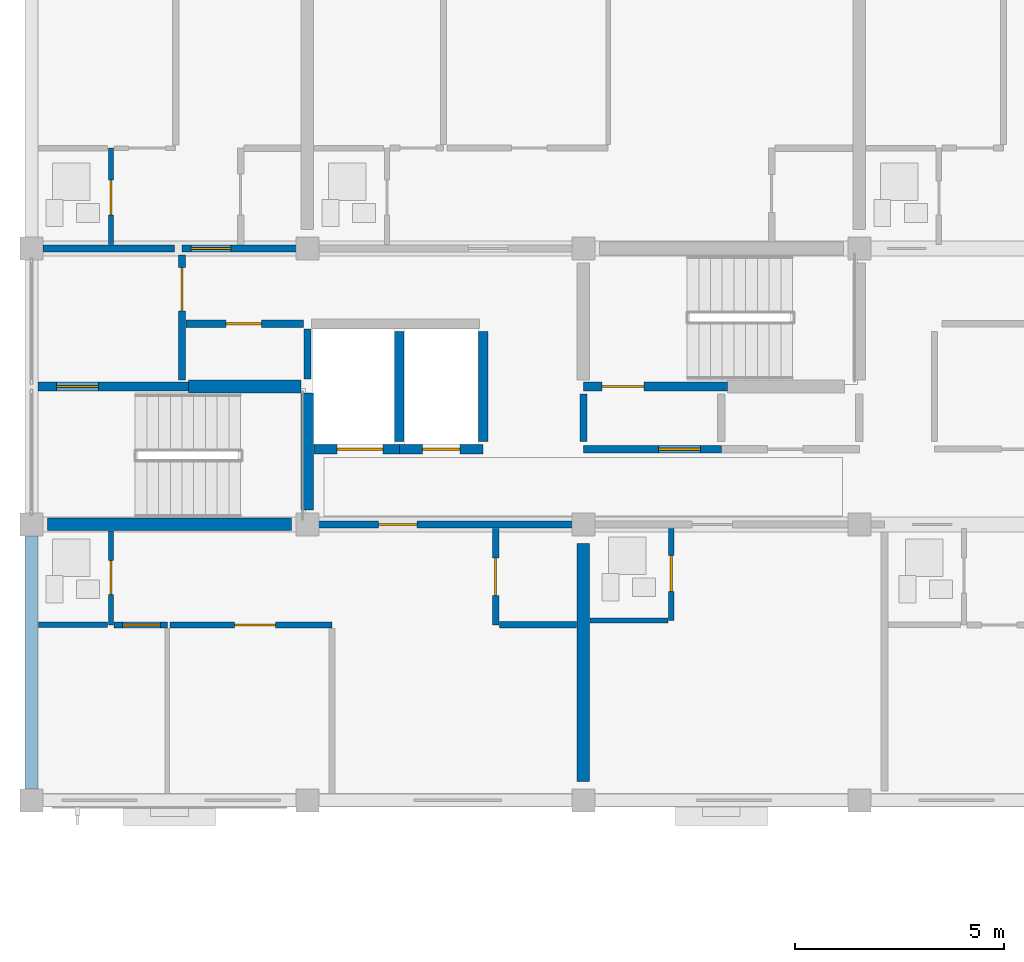
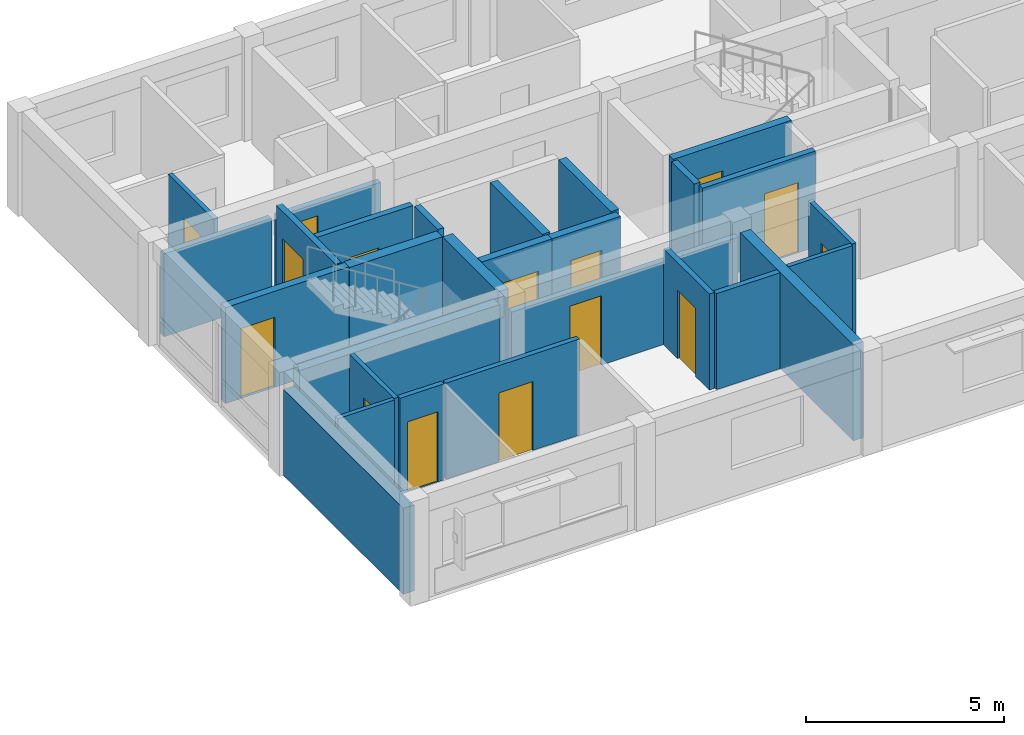
# One storey, part 34 of 53: 28 walls, 15 doors, 15 openings.
"""IFC4 building model written with IfcOpenShell, lengths in metres."""

import ifcopenshell
import ifcopenshell.guid

model = None  # the IFC model being written
_history = None  # IfcOwnerHistory: only IFC2X3 demands one
_inside = {}  # id of a spatial element -> (the spatial element, [elements in it])
_under = {}  # id of a project, library or spatial element -> (it, [spatial elements below it])
_declared = {}  # id of a project -> (the project, [libraries it declares])
_typed = {}  # id of a type object -> (the type object, [elements of that type])
_made_of = {}  # id of a material, layer set ... -> (it, [elements and type objects made of it])


def new_model(schema):
    """Start an empty IFC model of exactly this schema.

    Asked for "IFC4X3", IfcOpenShell would pick the latest addendum, in which some entities
    have other attributes; the version numbers below select the first issue.
    IFC2X3 requires an IfcOwnerHistory on every rooted entity: one is made here for all.
    """
    global model, _history
    if schema == "IFC4X3":
        model = ifcopenshell.file(schema_version=(4, 3, 0, 0))
    else:
        model = ifcopenshell.file(schema=schema)
    _inside.clear()
    _under.clear()
    _declared.clear()
    _typed.clear()
    _made_of.clear()
    _history = None
    if model.schema == "IFC2X3":
        org = make("IfcOrganization", Name="unknown")
        user = make(
            "IfcPersonAndOrganization",
            ThePerson=make("IfcPerson", FamilyName="unknown"),
            TheOrganization=org,
        )
        app = make(
            "IfcApplication",
            ApplicationDeveloper=org,
            Version="unknown",
            ApplicationFullName="unknown",
            ApplicationIdentifier="unknown",
        )
        _history = make(
            "IfcOwnerHistory",
            OwningUser=user,
            OwningApplication=app,
            ChangeAction="ADDED",
            CreationDate=0,
        )
    return model


def make(cls, **values):
    """One entity of the class cls with the attributes given. An attribute that is None is left unset."""
    return model.create_entity(
        cls, **{name: value for name, value in values.items() if value is not None}
    )


def rooted(cls, **values):
    """An entity with a GlobalId (a new one), such as an element, a storey or a relation."""
    return make(cls, GlobalId=ifcopenshell.guid.new(), OwnerHistory=_history, **values)


def si_unit(unit_type, name, prefix=None):
    """IfcSIUnit, for example si_unit("LENGTHUNIT", "METRE", prefix="MILLI")."""
    return make("IfcSIUnit", UnitType=unit_type, Prefix=prefix, Name=name)


def assignment(units):
    """IfcUnitAssignment: the units of a project."""
    return None if units is None else make("IfcUnitAssignment", Units=units)


def point(xyz):
    """IfcCartesianPoint."""
    return None if xyz is None else make("IfcCartesianPoint", Coordinates=xyz)


def direction(xyz):
    """IfcDirection."""
    return None if xyz is None else make("IfcDirection", DirectionRatios=xyz)


def frame(location, z_axis=None, x_axis=None):
    """IfcAxis2Placement3D, a coordinate frame: its origin and axes. An axis left out is left unset."""
    return make(
        "IfcAxis2Placement3D",
        Location=point(location),
        Axis=direction(z_axis),
        RefDirection=direction(x_axis),
    )


def frame_2d(location, x_axis=None):
    """IfcAxis2Placement2D, a coordinate frame in the plane: its origin and x axis."""
    return make(
        "IfcAxis2Placement2D", Location=point(location), RefDirection=direction(x_axis)
    )


def origin():
    """The frame at (0, 0, 0) with its axes left unset."""
    return frame((0.0, 0.0, 0.0))


def place(relative_to, where):
    """IfcLocalPlacement: puts the frame where relative to a parent placement (None: the world)."""
    return make(
        "IfcLocalPlacement", PlacementRelTo=relative_to, RelativePlacement=where
    )


def context(
    kind, dimensions, precision=None, world=None, true_north=None, identifier=None
):
    """IfcGeometricRepresentationContext, for example the 3D "Model" context."""
    return make(
        "IfcGeometricRepresentationContext",
        ContextIdentifier=identifier,
        ContextType=kind,
        CoordinateSpaceDimension=dimensions,
        Precision=precision,
        WorldCoordinateSystem=world,
        TrueNorth=true_north,
    )


def subcontext(parent, identifier, kind, view, scale=None):
    """IfcGeometricRepresentationSubContext, for example "Body" below "Model"."""
    return make(
        "IfcGeometricRepresentationSubContext",
        ContextIdentifier=identifier,
        ContextType=kind,
        ParentContext=parent,
        TargetScale=scale,
        TargetView=view,
    )


def project(units=None, contexts=None):
    """IfcProject with its units and contexts."""
    return rooted(
        "IfcProject",
        Name="project",
        RepresentationContexts=contexts,
        UnitsInContext=assignment(units),
    )


def spatial(cls, under=None, at=None, **own):
    """A site, building, storey or space (cls), placed at a placement, below another one or the project."""
    s = rooted(cls, ObjectPlacement=at, **own)
    if under is not None:
        _under.setdefault(under.id(), (under, []))[1].append(s)
    return s


def profile(cls, at=None, kind="AREA", **sizes):
    """A parametric profile (cls). Its sizes go by their IFC names, for example OverallWidth=200.0."""
    return make(cls, ProfileType=kind, Position=at, **sizes)


def rectangle(**sizes):
    """IfcRectangleProfileDef."""
    return profile("IfcRectangleProfileDef", **sizes)


def extrude(swept, where, along, depth):
    """IfcExtrudedAreaSolid: the profile swept, set in the frame where, extruded along a direction by depth."""
    return make(
        "IfcExtrudedAreaSolid",
        SweptArea=swept,
        Position=where,
        ExtrudedDirection=direction(along),
        Depth=depth,
    )


def shape(context_of_items, identifier, shape_type, items):
    """IfcShapeRepresentation: the items that make up one representation, for example the "Body"."""
    return make(
        "IfcShapeRepresentation",
        ContextOfItems=context_of_items,
        RepresentationIdentifier=identifier,
        RepresentationType=shape_type,
        Items=items,
    )


def material(Name=None, Category=None):
    """IfcMaterial."""
    return make("IfcMaterial", Name=Name, Category=Category)


def layer(
    of_material, thickness, ventilated=None, Name=None, Category=None, Priority=None
):
    """IfcMaterialLayer: one layer of a wall or slab, of a material (None: an air gap)."""
    return make(
        "IfcMaterialLayer",
        Material=of_material,
        LayerThickness=thickness,
        IsVentilated=ventilated,
        Name=Name,
        Category=Category,
        Priority=Priority,
    )


def layer_set(layers, Name=None):
    """IfcMaterialLayerSet."""
    return make("IfcMaterialLayerSet", MaterialLayers=layers, LayerSetName=Name)


def made_of(thing, what):
    """Note that an element or type object is made of a material, layer set ...; save() writes the relation."""
    if what is not None:
        _made_of.setdefault(what.id(), (what, []))[1].append(thing)
    return thing


def type_object(cls, material=None, **own):
    """A type object (cls), such as IfcWallType, which elements share."""
    return made_of(rooted(cls, **own), material)


def element(
    cls,
    number,
    at=None,
    inside=None,
    cuts=None,
    type_object=None,
    material=None,
    context=None,
    identifier="Body",
    shape_type=None,
    held_by="IfcProductDefinitionShape",
    body=None,
    shapes=None,
    **own,
):
    """One element of the class cls, such as IfcWall. Its Tag is "e" and its number.

    at: its placement. inside: the storey or other place that contains it. cuts: it is an
    opening in that element (IfcRelVoidsElement). A single representation is given by context,
    identifier, shape_type and body (its items); several are given by shapes. held_by: the class
    of the entity that holds the representations. save() writes the other relations.
    """
    e = rooted(cls, Tag="e%d" % number, ObjectPlacement=at, **own)
    if body is not None:
        shapes = [shape(context, identifier, shape_type, body)]
    if shapes is not None:
        e.Representation = make(held_by, Representations=shapes)
    if inside is not None:
        _inside.setdefault(inside.id(), (inside, []))[1].append(e)
    if cuts is not None:
        rooted(
            "IfcRelVoidsElement", RelatingBuildingElement=cuts, RelatedOpeningElement=e
        )
    if type_object is not None:
        _typed.setdefault(type_object.id(), (type_object, []))[1].append(e)
    return made_of(e, material)


def fill(opening, filler):
    """IfcRelFillsElement: the door or window that sits in an opening."""
    return rooted(
        "IfcRelFillsElement",
        RelatingOpeningElement=opening,
        RelatedBuildingElement=filler,
    )


def aggregate(whole, parts):
    """IfcRelAggregates: a whole, such as a stair, and the parts it consists of."""
    return rooted("IfcRelAggregates", RelatingObject=whole, RelatedObjects=parts)


def save(model, path):
    """Write the relations noted so far, then the file.

    IfcRelAggregates (storeys below a building ...), IfcRelContainedInSpatialStructure (elements
    in a storey), IfcRelDefinesByType, IfcRelAssociatesMaterial and IfcRelDeclares: one each for
    every whole, place, type object, material and project.
    """
    for whole, parts in _under.values():
        aggregate(whole, parts)
    for where, things in _inside.values():
        rooted(
            "IfcRelContainedInSpatialStructure",
            RelatedElements=things,
            RelatingStructure=where,
        )
    for kind, things in _typed.values():
        rooted("IfcRelDefinesByType", RelatedObjects=things, RelatingType=kind)
    for what, things in _made_of.values():
        rooted("IfcRelAssociatesMaterial", RelatedObjects=things, RelatingMaterial=what)
    for by, libraries in _declared.values():
        rooted("IfcRelDeclares", RelatingContext=by, RelatedDefinitions=libraries)
    model.write(path)


model = new_model("IFC4")

# Units and contexts
model_context = context("Model", 3, precision=1e-05, world=origin(), true_north=direction((0.0, 1.0)))
body_context = subcontext(model_context, "Body", "Model", "MODEL_VIEW")
ifc_project = project(units=[si_unit("LENGTHUNIT", "METRE"), si_unit("AREAUNIT", "SQUARE_METRE"), si_unit("VOLUMEUNIT", "CUBIC_METRE"), si_unit("PLANEANGLEUNIT", "RADIAN"), si_unit("MASSUNIT", "GRAM", prefix="KILO")], contexts=[model_context])

# Site, building, storey
site_placement = place(None, origin())
site = spatial("IfcSite", under=ifc_project, at=site_placement, CompositionType="ELEMENT")
building_placement = place(site_placement, origin())
building = spatial("IfcBuilding", under=site, at=building_placement, Name="Kernevlak Ridge Housing Community", CompositionType="ELEMENT")
storey_placement = place(building_placement, frame((0.0, 0.0, 18.0)))
storey = spatial("IfcBuildingStorey", under=building, at=storey_placement, Name="L05", CompositionType="ELEMENT", Elevation=18.0)

# Wall
ifc_material_1 = material(Name="Concrete block masonry M10", Category="masonry")
ifc_layer_1 = layer(ifc_material_1, 0.320068359375, Name="Concrete block masonry M10")
ifc_layer_set_1 = layer_set([ifc_layer_1], Name="Concrete block masonry M10")
wall_type_1 = type_object("IfcWallType", Name="EW-02", PredefinedType="STANDARD", material=ifc_layer_set_1)
wall_1_placement = place(storey_placement, frame((15.60009765625, 76.27490234375, 0.0), z_axis=(0.0, 0.0, 1.0), x_axis=(0.0, 1.0, 0.0)))
element("IfcWall", 1, at=wall_1_placement, inside=storey, type_object=wall_type_1, Name="Exterior wall EW-02 L05 89", PredefinedType="STANDARD", context=body_context, shape_type="SweptSolid", body=[
    extrude(rectangle(XDim=6.050048828125, YDim=0.320068359375, at=frame_2d((3.02490234375, 0.0))), origin(), (0.0, 0.0, 1.0), 2.64990234375),
])

# Wall, opening, door
ifc_material_2 = material(Name="Concrete C35/45", Category="concrete")
ifc_layer_2 = layer(ifc_material_2, 0.22509765625, Name="Concrete C35/45")
ifc_layer_set_2 = layer_set([ifc_layer_2], Name="Concrete C35/45")
wall_type_2 = type_object("IfcWallType", Name="PW-01", PredefinedType="STANDARD", material=ifc_layer_set_2)
wall_2_placement = place(storey_placement, frame((15.75, 85.89990234375, 0.0), z_axis=(0.0, 0.0, 1.0), x_axis=(1.0, 0.0, 0.0)))
wall_2 = element("IfcWall", 2, at=wall_2_placement, inside=storey, type_object=wall_type_2, Name="Interior wall PW-01 WAL-INT-L05-0309", PredefinedType="STANDARD", context=body_context, shape_type="SweptSolid", body=[
    extrude(rectangle(XDim=3.60009765625, YDim=0.22509765625, at=frame_2d((1.800048828125, 0.0))), origin(), (0.0, 0.0, 1.0), 2.9599609375),
])
opening_1_placement = place(wall_2_placement, frame((0.449951171875, 0.0, 0.0)))
opening_1 = element("IfcOpeningElement", 3, at=opening_1_placement, cuts=wall_2, Name="Opening D156", PredefinedType="OPENING", context=body_context, shape_type="SweptSolid", body=[
    extrude(rectangle(XDim=1.0, YDim=2.159912109375, at=frame_2d((0.5, 1.080078125))), frame((0.0, 0.12255859375, 0.0), z_axis=(0.0, -1.0, 0.0), x_axis=(1.0, 0.0, 0.0)), (0.0, 0.0, 1.0), 0.2451171875),
])
ifc_material_3 = material(Name="Fire-rated sheet steel leaf", Category="steel")
door_type_1 = type_object("IfcDoorType", Name="DT-15", OperationType="NOTDEFINED", PredefinedType="DOOR", material=ifc_material_3)
door_1_placement = place(opening_1_placement, origin())
door_1 = element("IfcDoor", 4, at=door_1_placement, inside=storey, type_object=door_type_1, Name="Block A Stair 1 fire door D156", OperationType="SINGLE_SWING_RIGHT", OverallHeight=2.159912109375, OverallWidth=1.0, PredefinedType="DOOR", context=body_context, shape_type="SweptSolid", body=[
    extrude(rectangle(XDim=1.0, YDim=2.159912109375, at=frame_2d((0.5, 1.080078125))), frame((0.0, 0.02490234375, 0.0), z_axis=(0.0, -1.0, 0.0), x_axis=(1.0, 0.0, 0.0)), (0.0, 0.0, 1.0), 0.050048828125),
])
fill(opening_1, door_1)

wall_3_placement = place(storey_placement, frame((22.360107421875, 84.39990234375, 0.0), z_axis=(0.0, 0.0, 1.0), x_axis=(1.0, 0.0, 0.0)))
wall_3 = element("IfcWall", 5, at=wall_3_placement, inside=storey, type_object=wall_type_2, Name="Interior wall PW-01 WAL-INT-L05-0313", PredefinedType="STANDARD", context=body_context, shape_type="SweptSolid", body=[
    extrude(rectangle(XDim=2.039794921875, YDim=0.22509765625, at=frame_2d((1.02001953125, 0.0))), origin(), (0.0, 0.0, 1.0), 2.9599609375),
])
opening_2_placement = place(wall_3_placement, frame((0.550048828125, 0.0, 0.0)))
opening_2 = element("IfcOpeningElement", 6, at=opening_2_placement, cuts=wall_3, Name="Opening LD12", PredefinedType="OPENING", context=body_context, shape_type="SweptSolid", body=[
    extrude(rectangle(XDim=1.10009765625, YDim=2.10009765625, at=frame_2d((0.550048828125, 1.050048828125))), frame((0.0, 0.12255859375, 0.0), z_axis=(0.0, -1.0, 0.0), x_axis=(1.0, 0.0, 0.0)), (0.0, 0.0, 1.0), 0.2451171875),
])
ifc_material_4 = material(Name="Stainless steel EN 1.4401", Category="steel")
door_type_2 = type_object("IfcDoorType", Name="DT-LD1", OperationType="DOUBLE_DOOR_SLIDING", PredefinedType="DOOR", material=ifc_material_4)
door_2_placement = place(opening_2_placement, origin())
door_2 = element("IfcDoor", 7, at=door_2_placement, inside=storey, type_object=door_type_2, Name="Lift LF-A1 landing door LD12", OperationType="DOUBLE_DOOR_SLIDING", OverallHeight=2.10009765625, OverallWidth=1.10009765625, PredefinedType="DOOR", context=body_context, shape_type="SweptSolid", body=[
    extrude(rectangle(XDim=1.10009765625, YDim=2.10009765625, at=frame_2d((0.550048828125, 1.050048828125))), frame((0.0, 0.02490234375, 0.0), z_axis=(0.0, -1.0, 0.0), x_axis=(1.0, 0.0, 0.0)), (0.0, 0.0, 1.0), 0.050048828125),
])
fill(opening_2, door_2)

wall_4_placement = place(storey_placement, frame((24.39990234375, 84.39990234375, 0.0), z_axis=(0.0, 0.0, 1.0), x_axis=(1.0, 0.0, 0.0)))
wall_4 = element("IfcWall", 8, at=wall_4_placement, inside=storey, type_object=wall_type_2, Name="Interior wall PW-01 WAL-INT-L05-0314", PredefinedType="STANDARD", context=body_context, shape_type="SweptSolid", body=[
    extrude(rectangle(XDim=2.0, YDim=0.22509765625, at=frame_2d((1.0, 0.0))), origin(), (0.0, 0.0, 1.0), 2.9599609375),
])
opening_3_placement = place(wall_4_placement, frame((0.550048828125, 0.0, 0.0)))
opening_3 = element("IfcOpeningElement", 9, at=opening_3_placement, cuts=wall_4, Name="Opening LD13", PredefinedType="OPENING", context=body_context, shape_type="SweptSolid", body=[
    extrude(rectangle(XDim=0.89990234375, YDim=2.10009765625, at=frame_2d((0.449951171875, 1.050048828125))), frame((0.0, 0.12255859375, 0.0), z_axis=(0.0, -1.0, 0.0), x_axis=(1.0, 0.0, 0.0)), (0.0, 0.0, 1.0), 0.2451171875),
])
door_type_3 = type_object("IfcDoorType", Name="DT-LD2", OperationType="DOUBLE_DOOR_SLIDING", PredefinedType="DOOR", material=ifc_material_4)
door_3_placement = place(opening_3_placement, origin())
door_3 = element("IfcDoor", 10, at=door_3_placement, inside=storey, type_object=door_type_3, Name="Lift LF-A2 landing door LD13", OperationType="DOUBLE_DOOR_SLIDING", OverallHeight=2.10009765625, OverallWidth=0.89990234375, PredefinedType="DOOR", context=body_context, shape_type="SweptSolid", body=[
    extrude(rectangle(XDim=0.89990234375, YDim=2.10009765625, at=frame_2d((0.449951171875, 1.050048828125))), frame((0.0, 0.02490234375, 0.0), z_axis=(0.0, -1.0, 0.0), x_axis=(1.0, 0.0, 0.0)), (0.0, 0.0, 1.0), 0.050048828125),
])
fill(opening_3, door_3)

# Walls
for number, where, z_axis, x_axis, name in (
    (11, (24.39990234375, 84.580078125, 0.0), (0.0, 0.0, 1.0), (0.0, 1.0, 0.0), "Interior wall PW-01 WAL-INT-L05-0317"),
    (12, (26.39990234375, 84.580078125, 0.0), (0.0, 0.0, 1.0), (0.0, 1.0, 0.0), "Interior wall PW-01 WAL-INT-L05-0318"),
):
    element("IfcWall", number, at=place(storey_placement, frame(where, z_axis=z_axis, x_axis=x_axis)), inside=storey, type_object=wall_type_2, Name=name, PredefinedType="STANDARD", context=body_context, shape_type="SweptSolid", body=[
        extrude(rectangle(XDim=2.639892578125, YDim=0.22509765625, at=frame_2d((1.31982421875, 0.0))), origin(), (0.0, 0.0, 1.0), 2.9599609375),
    ])

# Wall, opening, door
wall_5_placement = place(storey_placement, frame((28.800048828125, 85.89990234375, 0.0), z_axis=(0.0, 0.0, 1.0), x_axis=(1.0, 0.0, 0.0)))
wall_5 = element("IfcWall", 13, at=wall_5_placement, inside=storey, type_object=wall_type_2, Name="Interior wall PW-01 WAL-INT-L05-0319", PredefinedType="STANDARD", context=body_context, shape_type="SweptSolid", body=[
    extrude(rectangle(XDim=3.449951171875, YDim=0.22509765625, at=frame_2d((1.72509765625, 0.0))), origin(), (0.0, 0.0, 1.0), 2.9599609375),
])
opening_4_placement = place(wall_5_placement, frame((0.449951171875, 0.0, 0.0)))
opening_4 = element("IfcOpeningElement", 14, at=opening_4_placement, cuts=wall_5, Name="Opening D159", PredefinedType="OPENING", context=body_context, shape_type="SweptSolid", body=[
    extrude(rectangle(XDim=1.0, YDim=2.10009765625, at=frame_2d((0.5, 1.050048828125))), frame((0.0, 0.12255859375, 0.0), z_axis=(0.0, -1.0, 0.0), x_axis=(1.0, 0.0, 0.0)), (0.0, 0.0, 1.0), 0.2451171875),
])
door_type_4 = type_object("IfcDoorType", Name="DT-05", OperationType="NOTDEFINED", PredefinedType="DOOR", material=ifc_material_3)
door_4_placement = place(opening_4_placement, origin())
door_4 = element("IfcDoor", 15, at=door_4_placement, inside=storey, type_object=door_type_4, Name="Block A Stair 2 fire door D159", OperationType="SINGLE_SWING_LEFT", OverallHeight=2.10009765625, OverallWidth=1.0, PredefinedType="DOOR", context=body_context, shape_type="SweptSolid", body=[
    extrude(rectangle(XDim=1.0, YDim=2.10009765625, at=frame_2d((0.5, 1.050048828125))), frame((0.0, 0.02490234375, 0.0), z_axis=(0.0, -1.0, 0.0), x_axis=(1.0, 0.0, 0.0)), (0.0, 0.0, 1.0), 0.050048828125),
])
fill(opening_4, door_4)

ifc_layer_3 = layer(ifc_material_1, 0.175048828125, Name="Concrete block masonry M10")
ifc_layer_set_3 = layer_set([ifc_layer_3], Name="Concrete block masonry M10")
wall_type_3 = type_object("IfcWallType", Name="PW-02", PredefinedType="PARTITIONING", material=ifc_layer_set_3)
wall_6_placement = place(storey_placement, frame((19.199951171875, 86.050048828125, 0.0), z_axis=(0.0, 0.0, 1.0), x_axis=(0.0, 1.0, 0.0)))
wall_6 = element("IfcWall", 16, at=wall_6_placement, inside=storey, type_object=wall_type_3, Name="Interior wall PW-02 WAL-INT-L05-0310", PredefinedType="PARTITIONING", context=body_context, shape_type="SweptSolid", body=[
    extrude(rectangle(XDim=3.0, YDim=0.175048828125, at=frame_2d((1.5, 0.0))), origin(), (0.0, 0.0, 1.0), 2.9599609375),
])
opening_5_placement = place(wall_6_placement, frame((1.64990234375, 0.0, 0.0)))
opening_5 = element("IfcOpeningElement", 17, at=opening_5_placement, cuts=wall_6, Name="Opening D157", PredefinedType="OPENING", context=body_context, shape_type="SweptSolid", body=[
    extrude(rectangle(XDim=1.0400390625, YDim=2.1201171875, at=frame_2d((0.52001953125, 1.06005859375))), frame((0.0, 0.097412109375, 0.0), z_axis=(0.0, -1.0, 0.0), x_axis=(1.0, 0.0, 0.0)), (0.0, 0.0, 1.0), 0.195068359375),
])
door_type_5 = type_object("IfcDoorType", Name="DT-16", OperationType="NOTDEFINED", PredefinedType="DOOR", material=ifc_material_3)
door_5_placement = place(opening_5_placement, origin())
door_5 = element("IfcDoor", 18, at=door_5_placement, inside=storey, type_object=door_type_5, Name="Block A Firefighting lobby 1 door D157", OperationType="SINGLE_SWING_LEFT", OverallHeight=2.1201171875, OverallWidth=1.0400390625, PredefinedType="DOOR", context=body_context, shape_type="SweptSolid", body=[
    extrude(rectangle(XDim=1.0400390625, YDim=2.1201171875, at=frame_2d((0.52001953125, 1.06005859375))), frame((0.0, 0.02490234375, 0.0), z_axis=(0.0, -1.0, 0.0), x_axis=(1.0, 0.0, 0.0)), (0.0, 0.0, 1.0), 0.050048828125),
])
fill(opening_5, door_5)

wall_7_placement = place(storey_placement, frame((19.300048828125, 87.39990234375, 0.0), z_axis=(0.0, 0.0, 1.0), x_axis=(1.0, 0.0, 0.0)))
wall_7 = element("IfcWall", 19, at=wall_7_placement, inside=storey, type_object=wall_type_3, Name="Interior wall PW-02 WAL-INT-L05-0311", PredefinedType="PARTITIONING", context=body_context, shape_type="SweptSolid", body=[
    extrude(rectangle(XDim=2.800048828125, YDim=0.175048828125, at=frame_2d((1.39990234375, 0.0))), origin(), (0.0, 0.0, 1.0), 2.9599609375),
])
opening_6_placement = place(wall_7_placement, frame((0.949951171875, 0.0, 0.0)))
opening_6 = element("IfcOpeningElement", 20, at=opening_6_placement, cuts=wall_7, Name="Opening D158", PredefinedType="OPENING", context=body_context, shape_type="SweptSolid", body=[
    extrude(rectangle(XDim=0.85009765625, YDim=2.0, at=frame_2d((0.425048828125, 1.0))), frame((0.0, 0.097412109375, 0.0), z_axis=(0.0, -1.0, 0.0), x_axis=(1.0, 0.0, 0.0)), (0.0, 0.0, 1.0), 0.195068359375),
])
door_type_6 = type_object("IfcDoorType", Name="DT-07", OperationType="NOTDEFINED", PredefinedType="DOOR", material=ifc_material_3)
door_6_placement = place(opening_6_placement, origin())
door_6 = element("IfcDoor", 21, at=door_6_placement, inside=storey, type_object=door_type_6, Name="Block A Riser shaft door D158", OperationType="SINGLE_SWING_RIGHT", OverallHeight=2.0, OverallWidth=0.85009765625, PredefinedType="DOOR", context=body_context, shape_type="SweptSolid", body=[
    extrude(rectangle(XDim=0.85009765625, YDim=2.0, at=frame_2d((0.425048828125, 1.0))), frame((0.0, 0.02490234375, 0.0), z_axis=(0.0, -1.0, 0.0), x_axis=(1.0, 0.0, 0.0)), (0.0, 0.0, 1.0), 0.050048828125),
])
fill(opening_6, door_6)

# Wall
wall_8_placement = place(storey_placement, frame((22.199951171875, 86.080078125, 0.0), z_axis=(0.0, 0.0, 1.0), x_axis=(0.0, 1.0, 0.0)))
element("IfcWall", 22, at=wall_8_placement, inside=storey, type_object=wall_type_3, Name="Interior wall PW-02 WAL-INT-L05-0312", PredefinedType="PARTITIONING", context=body_context, shape_type="SweptSolid", body=[
    extrude(rectangle(XDim=1.18994140625, YDim=0.175048828125, at=frame_2d((0.594970703125, 0.0))), origin(), (0.0, 0.0, 1.0), 2.9599609375),
])

# Wall, opening, door
wall_9_placement = place(storey_placement, frame((28.800048828125, 84.39990234375, 0.0), z_axis=(0.0, 0.0, 1.0), x_axis=(1.0, 0.0, 0.0)))
wall_9 = element("IfcWall", 23, at=wall_9_placement, inside=storey, type_object=wall_type_3, Name="Interior wall PW-02 WAL-INT-L05-0320", PredefinedType="PARTITIONING", context=body_context, shape_type="SweptSolid", body=[
    extrude(rectangle(XDim=3.300048828125, YDim=0.175048828125, at=frame_2d((1.64990234375, 0.0))), origin(), (0.0, 0.0, 1.0), 2.9599609375),
])
opening_7_placement = place(wall_9_placement, frame((1.800048828125, 0.0, 0.0)))
opening_7 = element("IfcOpeningElement", 24, at=opening_7_placement, cuts=wall_9, Name="Opening D160", PredefinedType="OPENING", context=body_context, shape_type="SweptSolid", body=[
    extrude(rectangle(XDim=1.0, YDim=2.159912109375, at=frame_2d((0.5, 1.080078125))), frame((0.0, 0.097412109375, 0.0), z_axis=(0.0, -1.0, 0.0), x_axis=(1.0, 0.0, 0.0)), (0.0, 0.0, 1.0), 0.195068359375),
])
door_7_placement = place(opening_7_placement, origin())
door_7 = element("IfcDoor", 25, at=door_7_placement, inside=storey, type_object=door_type_1, Name="Block A Firefighting lobby 2 door D160", OperationType="SINGLE_SWING_RIGHT", OverallHeight=2.159912109375, OverallWidth=1.0, PredefinedType="DOOR", context=body_context, shape_type="SweptSolid", body=[
    extrude(rectangle(XDim=1.0, YDim=2.159912109375, at=frame_2d((0.5, 1.080078125))), frame((0.0, 0.02490234375, 0.0), z_axis=(0.0, -1.0, 0.0), x_axis=(1.0, 0.0, 0.0)), (0.0, 0.0, 1.0), 0.050048828125),
])
fill(opening_7, door_7)

# Wall
wall_10_placement = place(storey_placement, frame((28.800048828125, 84.580078125, 0.0), z_axis=(0.0, 0.0, 1.0), x_axis=(0.0, 1.0, 0.0)))
element("IfcWall", 26, at=wall_10_placement, inside=storey, type_object=wall_type_3, Name="Interior wall PW-02 WAL-INT-L05-0322", PredefinedType="PARTITIONING", context=body_context, shape_type="SweptSolid", body=[
    extrude(rectangle(XDim=1.139892578125, YDim=0.175048828125, at=frame_2d((0.56982421875, 0.0))), origin(), (0.0, 0.0, 1.0), 2.9599609375),
])

# Wall, opening, door
wall_11_placement = place(storey_placement, frame((22.199951171875, 82.60009765625, 0.0), z_axis=(0.0, 0.0, 1.0), x_axis=(1.0, 0.0, 0.0)))
wall_11 = element("IfcWall", 27, at=wall_11_placement, inside=storey, type_object=wall_type_3, Name="Interior wall PW-02 WAL-INT-L05-0330", PredefinedType="PARTITIONING", context=body_context, shape_type="SweptSolid", body=[
    extrude(rectangle(XDim=6.60009765625, YDim=0.175048828125, at=frame_2d((3.300048828125, 0.0))), origin(), (0.0, 0.0, 1.0), 2.550048828125),
])
opening_8_placement = place(wall_11_placement, frame((1.699951171875, 0.0, 0.0)))
opening_8 = element("IfcOpeningElement", 28, at=opening_8_placement, cuts=wall_11, Name="Opening D164", PredefinedType="OPENING", context=body_context, shape_type="SweptSolid", body=[
    extrude(rectangle(XDim=0.919921875, YDim=2.139892578125, at=frame_2d((0.4599609375, 1.06982421875))), frame((0.0, 0.097412109375, 0.0), z_axis=(0.0, -1.0, 0.0), x_axis=(1.0, 0.0, 0.0)), (0.0, 0.0, 1.0), 0.195068359375),
])
ifc_material_5 = material(Name="Hardwood timber solid-core fire leaf", Category="wood")
door_type_7 = type_object("IfcDoorType", Name="DT-20", OperationType="NOTDEFINED", PredefinedType="DOOR", material=ifc_material_5)
door_8_placement = place(opening_8_placement, origin())
door_8 = element("IfcDoor", 29, at=door_8_placement, inside=storey, type_object=door_type_7, Name="Flat A0511 entrance fire door D164", OperationType="SINGLE_SWING_RIGHT", OverallHeight=2.139892578125, OverallWidth=0.919921875, PredefinedType="DOOR", context=body_context, shape_type="SweptSolid", body=[
    extrude(rectangle(XDim=0.919921875, YDim=2.139892578125, at=frame_2d((0.4599609375, 1.06982421875))), frame((0.0, 0.02490234375, 0.0), z_axis=(0.0, -1.0, 0.0), x_axis=(1.0, 0.0, 0.0)), (0.0, 0.0, 1.0), 0.050048828125),
])
fill(opening_8, door_8)

# Wall
wall_12_placement = place(storey_placement, frame((15.8798828125, 89.199951171875, 0.0), z_axis=(0.0, 0.0, 1.0), x_axis=(1.0, 0.0, 0.0)))
element("IfcWall", 30, at=wall_12_placement, inside=storey, type_object=wall_type_3, Name="Interior wall PW-02 WAL-INT-L05-0350", PredefinedType="PARTITIONING", context=body_context, shape_type="SweptSolid", body=[
    extrude(rectangle(XDim=3.14013671875, YDim=0.175048828125, at=frame_2d((1.570068359375, 0.0))), origin(), (0.0, 0.0, 1.0), 2.550048828125),
])

# Wall, opening, door
wall_13_placement = place(storey_placement, frame((19.199951171875, 89.199951171875, 0.0), z_axis=(0.0, 0.0, 1.0), x_axis=(1.0, 0.0, 0.0)))
wall_13 = element("IfcWall", 31, at=wall_13_placement, inside=storey, type_object=wall_type_3, Name="Interior wall PW-02 WAL-INT-L05-0351", PredefinedType="PARTITIONING", context=body_context, shape_type="SweptSolid", body=[
    extrude(rectangle(XDim=3.0, YDim=0.175048828125, at=frame_2d((1.5, 0.0))), origin(), (0.0, 0.0, 1.0), 2.550048828125),
])
opening_9_placement = place(wall_13_placement, frame((0.219970703125, 0.0, 0.0)))
opening_9 = element("IfcOpeningElement", 32, at=opening_9_placement, cuts=wall_13, Name="Opening D175", PredefinedType="OPENING", context=body_context, shape_type="SweptSolid", body=[
    extrude(rectangle(XDim=0.949951171875, YDim=2.159912109375, at=frame_2d((0.47509765625, 1.080078125))), frame((0.0, 0.097412109375, 0.0), z_axis=(0.0, -1.0, 0.0), x_axis=(1.0, 0.0, 0.0)), (0.0, 0.0, 1.0), 0.195068359375),
])
door_type_8 = type_object("IfcDoorType", Name="DT-02", OperationType="NOTDEFINED", PredefinedType="DOOR", material=ifc_material_5)
door_9_placement = place(opening_9_placement, origin())
door_9 = element("IfcDoor", 33, at=door_9_placement, inside=storey, type_object=door_type_8, Name="Flat A0521 entrance fire door D175", OperationType="SINGLE_SWING_LEFT", OverallHeight=2.159912109375, OverallWidth=0.949951171875, PredefinedType="DOOR", context=body_context, shape_type="SweptSolid", body=[
    extrude(rectangle(XDim=0.949951171875, YDim=2.159912109375, at=frame_2d((0.47509765625, 1.080078125))), frame((0.0, 0.02490234375, 0.0), z_axis=(0.0, -1.0, 0.0), x_axis=(1.0, 0.0, 0.0)), (0.0, 0.0, 1.0), 0.050048828125),
])
fill(opening_9, door_9)

ifc_layer_4 = layer(ifc_material_1, 0.14501953125, Name="Concrete block masonry M10")
ifc_layer_set_4 = layer_set([ifc_layer_4], Name="Concrete block masonry M10")
wall_type_4 = type_object("IfcWallType", Name="PW-03", PredefinedType="PARTITIONING", material=ifc_layer_set_4)
wall_14_placement = place(storey_placement, frame((17.572509765625, 80.199951171875, 0.0), z_axis=(0.0, 0.0, 1.0), x_axis=(1.0, 0.0, 0.0)))
wall_14 = element("IfcWall", 34, at=wall_14_placement, inside=storey, type_object=wall_type_4, Name="Interior wall PW-03 WAL-INT-L05-0335", PredefinedType="PARTITIONING", context=body_context, shape_type="SweptSolid", body=[
    extrude(rectangle(XDim=1.277587890625, YDim=0.14501953125, at=frame_2d((0.638671875, 0.0))), origin(), (0.0, 0.0, 1.0), 2.9599609375),
])
opening_10_placement = place(wall_14_placement, frame((0.20751953125, 0.0, 0.0)))
opening_10 = element("IfcOpeningElement", 35, at=opening_10_placement, cuts=wall_14, Name="Opening D167", PredefinedType="OPENING", context=body_context, shape_type="SweptSolid", body=[
    extrude(rectangle(XDim=0.89990234375, YDim=2.159912109375, at=frame_2d((0.449951171875, 1.080078125))), frame((0.0, 0.08251953125, 0.0), z_axis=(0.0, -1.0, 0.0), x_axis=(1.0, 0.0, 0.0)), (0.0, 0.0, 1.0), 0.1650390625),
])
ifc_material_6 = material(Name="Hardwood timber leaf", Category="wood")
door_type_9 = type_object("IfcDoorType", Name="DT-22", OperationType="NOTDEFINED", PredefinedType="DOOR", material=ifc_material_6)
door_10_placement = place(opening_10_placement, origin())
door_10 = element("IfcDoor", 36, at=door_10_placement, inside=storey, type_object=door_type_9, Name="Flat A0511 bedroom door D167", OperationType="SINGLE_SWING_LEFT", OverallHeight=2.159912109375, OverallWidth=0.89990234375, PredefinedType="DOOR", context=body_context, shape_type="SweptSolid", body=[
    extrude(rectangle(XDim=0.89990234375, YDim=2.159912109375, at=frame_2d((0.449951171875, 1.080078125))), frame((0.0, 0.02490234375, 0.0), z_axis=(0.0, -1.0, 0.0), x_axis=(1.0, 0.0, 0.0)), (0.0, 0.0, 1.0), 0.050048828125),
])
fill(opening_10, door_10)

wall_15_placement = place(storey_placement, frame((18.91259765625, 80.199951171875, 0.0), z_axis=(0.0, 0.0, 1.0), x_axis=(1.0, 0.0, 0.0)))
wall_15 = element("IfcWall", 37, at=wall_15_placement, inside=storey, type_object=wall_type_4, Name="Interior wall PW-03 WAL-INT-L05-0337", PredefinedType="PARTITIONING", context=body_context, shape_type="SweptSolid", body=[
    extrude(rectangle(XDim=3.87939453125, YDim=0.14501953125, at=frame_2d((1.939697265625, 0.0))), origin(), (0.0, 0.0, 1.0), 2.9599609375),
])
opening_11_placement = place(wall_15_placement, frame((1.5458984375, 0.0, 0.0)))
opening_11 = element("IfcOpeningElement", 38, at=opening_11_placement, cuts=wall_15, Name="Opening D168", PredefinedType="OPENING", context=body_context, shape_type="SweptSolid", body=[
    extrude(rectangle(XDim=0.97998046875, YDim=2.1201171875, at=frame_2d((0.489990234375, 1.06005859375))), frame((0.0, 0.08251953125, 0.0), z_axis=(0.0, -1.0, 0.0), x_axis=(1.0, 0.0, 0.0)), (0.0, 0.0, 1.0), 0.1650390625),
])
door_type_10 = type_object("IfcDoorType", Name="DT-24", OperationType="NOTDEFINED", PredefinedType="DOOR", material=ifc_material_6)
door_11_placement = place(opening_11_placement, origin())
door_11 = element("IfcDoor", 39, at=door_11_placement, inside=storey, type_object=door_type_10, Name="Flat A0511 bedroom door D168", OperationType="SINGLE_SWING_RIGHT", OverallHeight=2.1201171875, OverallWidth=0.97998046875, PredefinedType="DOOR", context=body_context, shape_type="SweptSolid", body=[
    extrude(rectangle(XDim=0.97998046875, YDim=2.1201171875, at=frame_2d((0.489990234375, 1.06005859375))), frame((0.0, 0.02490234375, 0.0), z_axis=(0.0, -1.0, 0.0), x_axis=(1.0, 0.0, 0.0)), (0.0, 0.0, 1.0), 0.050048828125),
])
fill(opening_11, door_11)

ifc_material_7 = material(Name="Gypsum plasterboard EN 520", Category="gypsum")
ifc_layer_5 = layer(ifc_material_7, 0.125, Name="Gypsum plasterboard EN 520")
ifc_layer_set_5 = layer_set([ifc_layer_5], Name="Gypsum plasterboard EN 520")
wall_type_5 = type_object("IfcWallType", Name="PW-04", PredefinedType="PARTITIONING", material=ifc_layer_set_5)
wall_16_placement = place(storey_placement, frame((17.5, 82.43994140625, 0.0), z_axis=(0.0, 0.0, 1.0), x_axis=(0.0, -1.0, 0.0)))
wall_16 = element("IfcWall", 40, at=wall_16_placement, inside=storey, type_object=wall_type_5, Name="Interior wall PW-04 WAL-INT-L05-0331", PredefinedType="PARTITIONING", context=body_context, shape_type="SweptSolid", body=[
    extrude(rectangle(XDim=2.239990234375, YDim=0.125, at=frame_2d((1.1201171875, 0.0))), origin(), (0.0, 0.0, 1.0), 2.9599609375),
])
opening_12_placement = place(wall_16_placement, frame((0.699951171875, 0.0, 0.0)))
opening_12 = element("IfcOpeningElement", 41, at=opening_12_placement, cuts=wall_16, Name="Opening D165", PredefinedType="OPENING", context=body_context, shape_type="SweptSolid", body=[
    extrude(rectangle(XDim=0.820068359375, YDim=2.050048828125, at=frame_2d((0.41015625, 1.02490234375))), frame((0.0, 0.072509765625, 0.0), z_axis=(0.0, -1.0, 0.0), x_axis=(1.0, 0.0, 0.0)), (0.0, 0.0, 1.0), 0.14501953125),
])
ifc_material_8 = material(Name="Hardwood timber moisture-resistant leaf", Category="wood")
door_type_11 = type_object("IfcDoorType", Name="DT-30", OperationType="NOTDEFINED", PredefinedType="DOOR", material=ifc_material_8)
door_12_placement = place(opening_12_placement, origin())
door_12 = element("IfcDoor", 42, at=door_12_placement, inside=storey, type_object=door_type_11, Name="Flat A0511 bathroom door D165", OperationType="SINGLE_SWING_LEFT", OverallHeight=2.050048828125, OverallWidth=0.820068359375, PredefinedType="DOOR", context=body_context, shape_type="SweptSolid", body=[
    extrude(rectangle(XDim=0.820068359375, YDim=2.050048828125, at=frame_2d((0.41015625, 1.02490234375))), frame((0.0, 0.02490234375, 0.0), z_axis=(0.0, -1.0, 0.0), x_axis=(1.0, 0.0, 0.0)), (0.0, 0.0, 1.0), 0.050048828125),
])
fill(opening_12, door_12)

# Wall
wall_17_placement = place(storey_placement, frame((15.77001953125, 80.199951171875, 0.0), z_axis=(0.0, 0.0, 1.0), x_axis=(1.0, 0.0, 0.0)))
element("IfcWall", 43, at=wall_17_placement, inside=storey, type_object=wall_type_5, Name="Interior wall PW-04 WAL-INT-L05-0332", PredefinedType="PARTITIONING", context=body_context, shape_type="SweptSolid", body=[
    extrude(rectangle(XDim=1.64990234375, YDim=0.125, at=frame_2d((0.824951171875, 0.0))), origin(), (0.0, 0.0, 1.0), 2.9599609375),
])

# Wall, opening, door
wall_18_placement = place(storey_placement, frame((30.89990234375, 82.50244140625, 0.0), z_axis=(0.0, 0.0, 1.0), x_axis=(0.0, -1.0, 0.0)))
wall_18 = element("IfcWall", 44, at=wall_18_placement, inside=storey, type_object=wall_type_5, Name="Interior wall PW-04 WAL-INT-L05-0340", PredefinedType="PARTITIONING", context=body_context, shape_type="SweptSolid", body=[
    extrude(rectangle(XDim=2.202392578125, YDim=0.125, at=frame_2d((1.10107421875, 0.0))), origin(), (0.0, 0.0, 1.0), 2.9599609375),
])
opening_13_placement = place(wall_18_placement, frame((0.64990234375, 0.0, 0.0)))
opening_13 = element("IfcOpeningElement", 45, at=opening_13_placement, cuts=wall_18, Name="Opening D170", PredefinedType="OPENING", context=body_context, shape_type="SweptSolid", body=[
    extrude(rectangle(XDim=0.85009765625, YDim=2.0400390625, at=frame_2d((0.425048828125, 1.02001953125))), frame((0.0, 0.072509765625, 0.0), z_axis=(0.0, -1.0, 0.0), x_axis=(1.0, 0.0, 0.0)), (0.0, 0.0, 1.0), 0.14501953125),
])
door_type_12 = type_object("IfcDoorType", Name="DT-04", OperationType="NOTDEFINED", PredefinedType="DOOR", material=ifc_material_8)
door_13_placement = place(opening_13_placement, origin())
door_13 = element("IfcDoor", 46, at=door_13_placement, inside=storey, type_object=door_type_12, Name="Flat A0512 bathroom door D170", OperationType="SINGLE_SWING_RIGHT", OverallHeight=2.0400390625, OverallWidth=0.85009765625, PredefinedType="DOOR", context=body_context, shape_type="SweptSolid", body=[
    extrude(rectangle(XDim=0.85009765625, YDim=2.0400390625, at=frame_2d((0.425048828125, 1.02001953125))), frame((0.0, 0.02490234375, 0.0), z_axis=(0.0, -1.0, 0.0), x_axis=(1.0, 0.0, 0.0)), (0.0, 0.0, 1.0), 0.050048828125),
])
fill(opening_13, door_13)

# Wall
wall_19_placement = place(storey_placement, frame((28.9599609375, 80.300048828125, 0.0), z_axis=(0.0, 0.0, 1.0), x_axis=(1.0, 0.0, 0.0)))
element("IfcWall", 47, at=wall_19_placement, inside=storey, type_object=wall_type_5, Name="Interior wall PW-04 WAL-INT-L05-0341", PredefinedType="PARTITIONING", context=body_context, shape_type="SweptSolid", body=[
    extrude(rectangle(XDim=1.860107421875, YDim=0.125, at=frame_2d((0.93017578125, 0.0))), origin(), (0.0, 0.0, 1.0), 2.9599609375),
])

# Wall, opening, door
wall_20_placement = place(storey_placement, frame((17.5, 89.297607421875, 0.0), z_axis=(0.0, 0.0, 1.0), x_axis=(0.0, 1.0, 0.0)))
wall_20 = element("IfcWall", 48, at=wall_20_placement, inside=storey, type_object=wall_type_5, Name="Interior wall PW-04 WAL-INT-L05-0352", PredefinedType="PARTITIONING", context=body_context, shape_type="SweptSolid", body=[
    extrude(rectangle(XDim=2.302490234375, YDim=0.125, at=frame_2d((1.1513671875, 0.0))), origin(), (0.0, 0.0, 1.0), 2.9599609375),
])
opening_14_placement = place(wall_20_placement, frame((0.699951171875, 0.0, 0.0)))
opening_14 = element("IfcOpeningElement", 49, at=opening_14_placement, cuts=wall_20, Name="Opening D176", PredefinedType="OPENING", context=body_context, shape_type="SweptSolid", body=[
    extrude(rectangle(XDim=0.840087890625, YDim=2.06005859375, at=frame_2d((0.419921875, 1.030029296875))), frame((0.0, 0.072509765625, 0.0), z_axis=(0.0, -1.0, 0.0), x_axis=(1.0, 0.0, 0.0)), (0.0, 0.0, 1.0), 0.14501953125),
])
door_type_13 = type_object("IfcDoorType", Name="DT-27", OperationType="NOTDEFINED", PredefinedType="DOOR", material=ifc_material_8)
door_14_placement = place(opening_14_placement, origin())
door_14 = element("IfcDoor", 50, at=door_14_placement, inside=storey, type_object=door_type_13, Name="Flat A0521 bathroom door D176", OperationType="SINGLE_SWING_RIGHT", OverallHeight=2.06005859375, OverallWidth=0.840087890625, PredefinedType="DOOR", context=body_context, shape_type="SweptSolid", body=[
    extrude(rectangle(XDim=0.840087890625, YDim=2.06005859375, at=frame_2d((0.419921875, 1.030029296875))), frame((0.0, 0.02490234375, 0.0), z_axis=(0.0, -1.0, 0.0), x_axis=(1.0, 0.0, 0.0)), (0.0, 0.0, 1.0), 0.050048828125),
])
fill(opening_14, door_14)

ifc_layer_6 = layer(ifc_material_7, 0.155029296875, Name="Gypsum plasterboard EN 520")
ifc_layer_set_6 = layer_set([ifc_layer_6], Name="Gypsum plasterboard EN 520")
wall_type_6 = type_object("IfcWallType", Name="PW-05", PredefinedType="PARTITIONING", material=ifc_layer_set_6)
wall_21_placement = place(storey_placement, frame((26.699951171875, 82.50244140625, 0.0), z_axis=(0.0, 0.0, 1.0), x_axis=(0.0, -1.0, 0.0)))
wall_21 = element("IfcWall", 51, at=wall_21_placement, inside=storey, type_object=wall_type_6, Name="Interior wall PW-05 WAL-INT-L05-0333", PredefinedType="PARTITIONING", context=body_context, shape_type="SweptSolid", body=[
    extrude(rectangle(XDim=2.302490234375, YDim=0.155029296875, at=frame_2d((1.1513671875, 0.0))), origin(), (0.0, 0.0, 1.0), 2.9599609375),
])
opening_15_placement = place(wall_21_placement, frame((0.699951171875, 0.0, 0.0)))
opening_15 = element("IfcOpeningElement", 52, at=opening_15_placement, cuts=wall_21, Name="Opening D166", PredefinedType="OPENING", context=body_context, shape_type="SweptSolid", body=[
    extrude(rectangle(XDim=0.89990234375, YDim=2.10009765625, at=frame_2d((0.449951171875, 1.050048828125))), frame((0.0, 0.08740234375, 0.0), z_axis=(0.0, -1.0, 0.0), x_axis=(1.0, 0.0, 0.0)), (0.0, 0.0, 1.0), 0.175048828125),
])
door_type_14 = type_object("IfcDoorType", Name="DT-21", OperationType="NOTDEFINED", PredefinedType="DOOR", material=ifc_material_6)
door_15_placement = place(opening_15_placement, origin())
door_15 = element("IfcDoor", 53, at=door_15_placement, inside=storey, type_object=door_type_14, Name="Flat A0511 kitchen door D166", OperationType="SINGLE_SWING_RIGHT", OverallHeight=2.10009765625, OverallWidth=0.89990234375, PredefinedType="DOOR", context=body_context, shape_type="SweptSolid", body=[
    extrude(rectangle(XDim=0.89990234375, YDim=2.10009765625, at=frame_2d((0.449951171875, 1.050048828125))), frame((0.0, 0.02490234375, 0.0), z_axis=(0.0, -1.0, 0.0), x_axis=(1.0, 0.0, 0.0)), (0.0, 0.0, 1.0), 0.050048828125),
])
fill(opening_15, door_15)

# Walls
wall_22_placement = place(storey_placement, frame((26.78759765625, 80.199951171875, 0.0), z_axis=(0.0, 0.0, 1.0), x_axis=(1.0, 0.0, 0.0)))
element("IfcWall", 54, at=wall_22_placement, inside=storey, type_object=wall_type_6, Name="Interior wall PW-05 WAL-INT-L05-0334", PredefinedType="PARTITIONING", context=body_context, shape_type="SweptSolid", body=[
    extrude(rectangle(XDim=1.852294921875, YDim=0.155029296875, at=frame_2d((0.92626953125, 0.0))), origin(), (0.0, 0.0, 1.0), 2.9599609375),
])
ifc_material_9 = material(Name="Concrete C40/50", Category="concrete")
ifc_layer_7 = layer(ifc_material_9, 0.300048828125, Name="Concrete C40/50")
ifc_layer_set_7 = layer_set([ifc_layer_7], Name="Concrete C40/50")
wall_type_7 = type_object("IfcWallType", Name="SW-02", PredefinedType="SHEAR", material=ifc_layer_set_7)
wall_23_placement = place(storey_placement, frame((15.97998046875, 82.60009765625, 0.0), z_axis=(0.0, 0.0, 1.0), x_axis=(1.0, 0.0, 0.0)))
element("IfcWall", 55, at=wall_23_placement, inside=storey, type_object=wall_type_7, Name="Shear wall SW-02 Block A L05 61", PredefinedType="SHEAR", context=body_context, shape_type="SweptSolid", body=[
    extrude(rectangle(XDim=5.840087890625, YDim=0.300048828125, at=frame_2d((2.919921875, 0.0))), origin(), (0.0, 0.0, 1.0), 2.9599609375),
])
wall_24_placement = place(storey_placement, frame((19.35009765625, 85.89990234375, 0.0), z_axis=(0.0, 0.0, 1.0), x_axis=(1.0, 0.0, 0.0)))
element("IfcWall", 56, at=wall_24_placement, inside=storey, type_object=wall_type_7, Name="Shear wall SW-02 Block A L05 62", PredefinedType="SHEAR", context=body_context, shape_type="SweptSolid", body=[
    extrude(rectangle(XDim=2.699951171875, YDim=0.300048828125, at=frame_2d((1.35009765625, 0.0))), origin(), (0.0, 0.0, 1.0), 2.9599609375),
])
wall_25_placement = place(storey_placement, frame((22.199951171875, 82.949951171875, 0.0), z_axis=(0.0, 0.0, 1.0), x_axis=(0.0, 1.0, 0.0)))
element("IfcWall", 57, at=wall_25_placement, inside=storey, type_object=wall_type_7, Name="Shear wall SW-02 Block A L05 63", PredefinedType="SHEAR", context=body_context, shape_type="SweptSolid", body=[
    extrude(rectangle(XDim=2.800048828125, YDim=0.300048828125, at=frame_2d((1.39990234375, 0.0))), origin(), (0.0, 0.0, 1.0), 2.9599609375),
])
wall_26_placement = place(storey_placement, frame((28.800048828125, 76.449951171875, 0.0), z_axis=(0.0, 0.0, 1.0), x_axis=(0.0, 1.0, 0.0)))
element("IfcWall", 58, at=wall_26_placement, inside=storey, type_object=wall_type_7, Name="Shear wall SW-02 Block A L05 68", PredefinedType="SHEAR", context=body_context, shape_type="SweptSolid", body=[
    extrude(rectangle(XDim=5.699951171875, YDim=0.300048828125, at=frame_2d((2.85009765625, 0.0))), origin(), (0.0, 0.0, 1.0), 2.9599609375),
])

save(model, "model.ifc")
